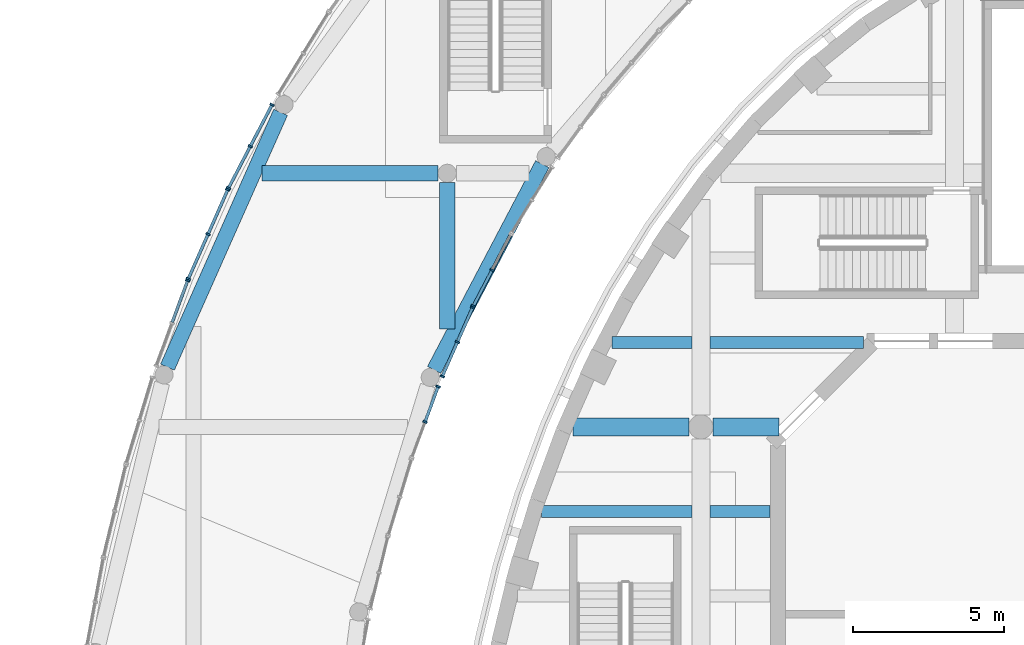
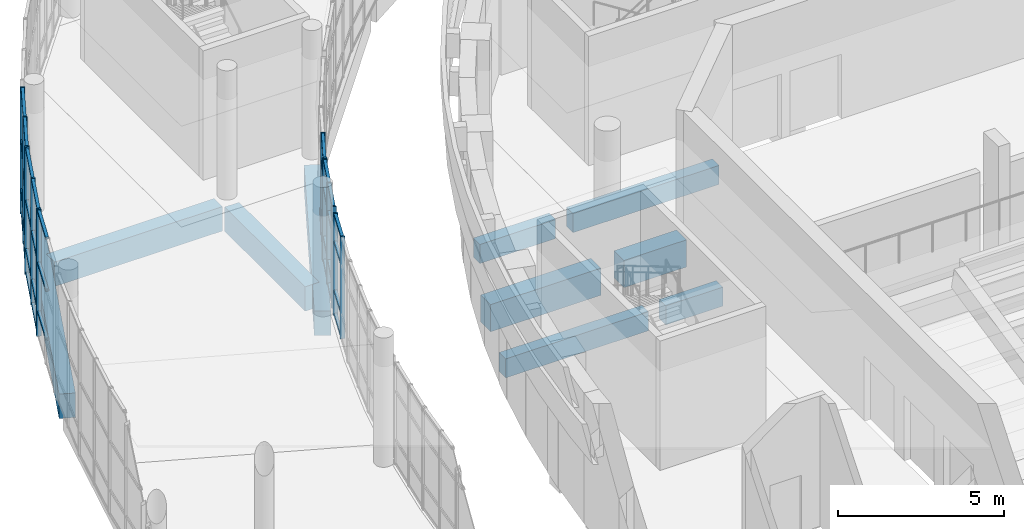
# One storey, part 23 of 119: 50 members, 10 beams, 6 elements without a shape of their own.
"""IFC4 building model written with IfcOpenShell, lengths in metres."""

from ifc_helpers import new_model, si_unit, direction, frame, origin, origin_2d, place, context, subcontext, project, spatial, rectangle, extrude, material, layer, layer_set, material_profile, profile_set, type_object, element, aggregate, save


model = new_model("IFC4")

# Units and contexts
model_context = context("Model", 3, precision=1e-05, world=origin(), true_north=direction((0.0, 1.0)))
body_context = subcontext(model_context, "Body", "Model", "MODEL_VIEW")
ifc_project = project(units=[si_unit("LENGTHUNIT", "METRE"), si_unit("AREAUNIT", "SQUARE_METRE"), si_unit("VOLUMEUNIT", "CUBIC_METRE"), si_unit("PLANEANGLEUNIT", "RADIAN"), si_unit("MASSUNIT", "GRAM", prefix="KILO")], contexts=[model_context])

# Site, building, storey
site_placement = place(None, origin())
site = spatial("IfcSite", under=ifc_project, at=site_placement, CompositionType="ELEMENT")
building_placement = place(site_placement, origin())
building = spatial("IfcBuilding", under=site, at=building_placement, Name="Larchfold Concert Hall", CompositionType="ELEMENT")
storey_placement = place(building_placement, frame((0.0, 0.0, 4.800048828125)))
storey = spatial("IfcBuildingStorey", under=building, at=storey_placement, Name="L01", CompositionType="ELEMENT", Elevation=4.800048828125)

# Curtain wall, members
ifc_material_1 = material(Name="Anodised graphite aluminium curtain wall", Category="aluminium")
ifc_layer = layer(ifc_material_1, 0.14990234375)
ifc_layer_set = layer_set([ifc_layer], Name="Anodised graphite aluminium curtain wall")
curtain_wall_type = type_object("IfcCurtainWallType", Name="Curtain wall WG", PredefinedType="NOTDEFINED", material=ifc_layer_set)
curtain_wall_1_placement = place(storey_placement, origin())
curtain_wall_1 = element("IfcCurtainWall", 1, at=curtain_wall_1_placement, inside=storey, type_object=curtain_wall_type, Name="Curtain wall CW0153", PredefinedType="NOTDEFINED")
ifc_material_2 = material(Name="Anodised graphite aluminium mullion", Category="aluminium")
ifc_material_profile_1 = material_profile(ifc_material_2, rectangle(XDim=0.14990234375, YDim=0.06005859375, at=origin_2d()))
ifc_profile_set_1 = profile_set([ifc_material_profile_1], Name="Anodised graphite aluminium mullion")
member_type_1 = type_object("IfcMemberType", Name="Aluminium mullion 60x150", PredefinedType="MULLION", material=ifc_profile_set_1)
member_1_placement = place(storey_placement, frame((16.66357421875, 101.563232421875, 0.0), z_axis=(0.0, 0.0, 1.0), x_axis=(-0.938008664151, 0.346611808768, 0.0)))
member_1 = element("IfcMember", 2, at=member_1_placement, type_object=member_type_1, Name="CW0153 mullion 2", PredefinedType="MULLION", context=body_context, shape_type="SweptSolid", body=[
    extrude(rectangle(XDim=0.14990234375, YDim=0.06005859375, at=origin_2d()), origin(), (0.0, 0.0, 1.0), 3.75),
])
member_2_placement = place(storey_placement, frame((17.096435546875, 102.73486328125, 0.0), z_axis=(0.0, 0.0, 1.0), x_axis=(-0.938008664151, 0.346611808768, 0.0)))
member_2 = element("IfcMember", 3, at=member_2_placement, type_object=member_type_1, Name="CW0153 mullion 3", PredefinedType="MULLION", context=body_context, shape_type="SweptSolid", body=[
    extrude(rectangle(XDim=0.14990234375, YDim=0.06005859375, at=origin_2d()), origin(), (0.0, 0.0, 1.0), 3.75),
])

curtain_wall_2_placement = place(storey_placement, origin())
curtain_wall_2 = element("IfcCurtainWall", 4, at=curtain_wall_2_placement, inside=storey, type_object=curtain_wall_type, Name="Curtain wall CW0154", PredefinedType="NOTDEFINED")
member_3_placement = place(storey_placement, frame((17.234130859375, 103.072265625, 0.0), z_axis=(0.0, 0.0, 1.0), x_axis=(-0.914744172632, 0.404033536523, 0.0)))
member_3 = element("IfcMember", 5, at=member_3_placement, type_object=member_type_1, Name="CW0154 mullion 1", PredefinedType="MULLION", context=body_context, shape_type="SweptSolid", body=[
    extrude(rectangle(XDim=0.14990234375, YDim=0.06005859375, at=origin_2d()), origin(), (0.0, 0.0, 1.0), 3.75),
])
member_4_placement = place(storey_placement, frame((17.737548828125, 104.212158203125, 0.0), z_axis=(0.0, 0.0, 1.0), x_axis=(-0.914744172632, 0.404033536523, 0.0)))
member_4 = element("IfcMember", 6, at=member_4_placement, type_object=member_type_1, Name="CW0154 mullion 2", PredefinedType="MULLION", context=body_context, shape_type="SweptSolid", body=[
    extrude(rectangle(XDim=0.14990234375, YDim=0.06005859375, at=origin_2d()), origin(), (0.0, 0.0, 1.0), 3.75),
])
member_5_placement = place(storey_placement, frame((18.24072265625, 105.351806640625, 0.0), z_axis=(0.0, 0.0, 1.0), x_axis=(-0.914744172632, 0.404033536523, 0.0)))
member_5 = element("IfcMember", 7, at=member_5_placement, type_object=member_type_1, Name="CW0154 mullion 3", PredefinedType="MULLION", context=body_context, shape_type="SweptSolid", body=[
    extrude(rectangle(XDim=0.14990234375, YDim=0.06005859375, at=origin_2d()), origin(), (0.0, 0.0, 1.0), 3.75),
])

curtain_wall_3_placement = place(storey_placement, origin())
curtain_wall_3 = element("IfcCurtainWall", 8, at=curtain_wall_3_placement, inside=storey, type_object=curtain_wall_type, Name="Curtain wall CW0155", PredefinedType="NOTDEFINED")
member_6_placement = place(storey_placement, frame((18.266845703125, 105.40576171875, 0.0), z_axis=(0.0, 0.0, 1.0), x_axis=(-0.886259622766, 0.46318881793, 0.0)))
member_6 = element("IfcMember", 9, at=member_6_placement, type_object=member_type_1, Name="CW0155 mullion 1", PredefinedType="MULLION", context=body_context, shape_type="SweptSolid", body=[
    extrude(rectangle(XDim=0.14990234375, YDim=0.06005859375, at=origin_2d()), origin(), (0.0, 0.0, 1.0), 3.75),
])
member_7_placement = place(storey_placement, frame((18.8857421875, 106.58984375, 0.0), z_axis=(0.0, 0.0, 1.0), x_axis=(-0.886259622766, 0.46318881793, 0.0)))
member_7 = element("IfcMember", 10, at=member_7_placement, type_object=member_type_1, Name="CW0155 mullion 2", PredefinedType="MULLION", context=body_context, shape_type="SweptSolid", body=[
    extrude(rectangle(XDim=0.14990234375, YDim=0.06005859375, at=origin_2d()), origin(), (0.0, 0.0, 1.0), 3.75),
])

curtain_wall_4_placement = place(storey_placement, origin())
curtain_wall_4 = element("IfcCurtainWall", 11, at=curtain_wall_4_placement, inside=storey, type_object=curtain_wall_type, Name="Curtain wall CW0187", PredefinedType="NOTDEFINED")
member_8_placement = place(storey_placement, frame((11.5947265625, 112.070068359375, 0.0), z_axis=(0.0, 0.0, 1.0), x_axis=(0.886293671962, -0.463123662795, 0.0)))
member_8 = element("IfcMember", 12, at=member_8_placement, type_object=member_type_1, Name="CW0187 mullion 1", PredefinedType="MULLION", context=body_context, shape_type="SweptSolid", body=[
    extrude(rectangle(XDim=0.14990234375, YDim=0.06005859375, at=origin_2d()), origin(), (0.0, 0.0, 1.0), 4.64990234375),
])
member_9_placement = place(storey_placement, frame((10.874267578125, 110.69140625, 0.0), z_axis=(0.0, 0.0, 1.0), x_axis=(0.886293671962, -0.463123662795, 0.0)))
member_9 = element("IfcMember", 13, at=member_9_placement, type_object=member_type_1, Name="CW0187 mullion 2", PredefinedType="MULLION", context=body_context, shape_type="SweptSolid", body=[
    extrude(rectangle(XDim=0.14990234375, YDim=0.06005859375, at=origin_2d()), origin(), (0.0, 0.0, 1.0), 4.64990234375),
])
member_10_placement = place(storey_placement, frame((10.15380859375, 109.3125, 0.0), z_axis=(0.0, 0.0, 1.0), x_axis=(0.886293671962, -0.463123662795, 0.0)))
member_10 = element("IfcMember", 14, at=member_10_placement, type_object=member_type_1, Name="CW0187 mullion 3", PredefinedType="MULLION", context=body_context, shape_type="SweptSolid", body=[
    extrude(rectangle(XDim=0.14990234375, YDim=0.06005859375, at=origin_2d()), origin(), (0.0, 0.0, 1.0), 4.64990234375),
])

curtain_wall_5_placement = place(storey_placement, origin())
curtain_wall_5 = element("IfcCurtainWall", 15, at=curtain_wall_5_placement, inside=storey, type_object=curtain_wall_type, Name="Curtain wall CW0188", PredefinedType="NOTDEFINED")
member_11_placement = place(storey_placement, frame((10.127685546875, 109.258544921875, 0.0), z_axis=(0.0, 0.0, 1.0), x_axis=(0.914703196701, -0.404126294549, 0.0)))
member_11 = element("IfcMember", 16, at=member_11_placement, type_object=member_type_1, Name="CW0188 mullion 1", PredefinedType="MULLION", context=body_context, shape_type="SweptSolid", body=[
    extrude(rectangle(XDim=0.14990234375, YDim=0.06005859375, at=origin_2d()), origin(), (0.0, 0.0, 1.0), 4.64990234375),
])
member_12_placement = place(storey_placement, frame((9.475341796875, 107.78173828125, 0.0), z_axis=(0.0, 0.0, 1.0), x_axis=(0.914703196701, -0.404126294549, 0.0)))
member_12 = element("IfcMember", 17, at=member_12_placement, type_object=member_type_1, Name="CW0188 mullion 2", PredefinedType="MULLION", context=body_context, shape_type="SweptSolid", body=[
    extrude(rectangle(XDim=0.14990234375, YDim=0.06005859375, at=origin_2d()), origin(), (0.0, 0.0, 1.0), 4.64990234375),
])
member_13_placement = place(storey_placement, frame((8.822998046875, 106.304931640625, 0.0), z_axis=(0.0, 0.0, 1.0), x_axis=(0.914703196701, -0.404126294549, 0.0)))
member_13 = element("IfcMember", 18, at=member_13_placement, type_object=member_type_1, Name="CW0188 mullion 3", PredefinedType="MULLION", context=body_context, shape_type="SweptSolid", body=[
    extrude(rectangle(XDim=0.14990234375, YDim=0.06005859375, at=origin_2d()), origin(), (0.0, 0.0, 1.0), 4.64990234375),
])

# Curtain wall, member
curtain_wall_6_placement = place(storey_placement, origin())
curtain_wall_6 = element("IfcCurtainWall", 19, at=curtain_wall_6_placement, inside=storey, type_object=curtain_wall_type, Name="Curtain wall CW0189", PredefinedType="NOTDEFINED")
member_14_placement = place(storey_placement, frame((8.80029296875, 106.24951171875, 0.0), z_axis=(0.0, 0.0, 1.0), x_axis=(0.938015834921, -0.346592402451, 0.0)))
member_14 = element("IfcMember", 20, at=member_14_placement, type_object=member_type_1, Name="CW0189 mullion 1", PredefinedType="MULLION", context=body_context, shape_type="SweptSolid", body=[
    extrude(rectangle(XDim=0.14990234375, YDim=0.06005859375, at=origin_2d()), origin(), (0.0, 0.0, 1.0), 4.64990234375),
])

# Member
ifc_material_3 = material(Name="Anodised graphite aluminium transom", Category="aluminium")
ifc_material_profile_2 = material_profile(ifc_material_3, rectangle(XDim=0.10009765625, YDim=0.080078125, at=origin_2d()))
ifc_profile_set_2 = profile_set([ifc_material_profile_2], Name="Anodised graphite aluminium transom")
member_type_2 = type_object("IfcMemberType", Name="Aluminium transom 80x100", PredefinedType="USERDEFINED", material=ifc_profile_set_2)
member_15_placement = place(storey_placement, frame((16.674072265625, 101.59130859375, 0.0400390625), z_axis=(0.346618720234, 0.938006110206, 0.0), x_axis=(-0.938006110206, 0.346618720234, 0.0)))
member_15 = element("IfcMember", 21, at=member_15_placement, type_object=member_type_2, Name="CW0153 transom 2.1", ObjectType="TRANSOM", PredefinedType="USERDEFINED", context=body_context, shape_type="SweptSolid", body=[
    extrude(rectangle(XDim=0.10009765625, YDim=0.080078125, at=origin_2d()), origin(), (0.0, 0.0, 1.0), 1.18896484375),
])

member_16_placement = place(storey_placement, frame((16.674072265625, 101.59130859375, 0.89990234375), z_axis=(0.346618720234, 0.938006110206, 0.0), x_axis=(-0.938006110206, 0.346618720234, 0.0)))
member_16 = element("IfcMember", 22, at=member_16_placement, type_object=member_type_2, Name="CW0153 transom 2.2", ObjectType="TRANSOM", PredefinedType="USERDEFINED", context=body_context, shape_type="SweptSolid", body=[
    extrude(rectangle(XDim=0.10009765625, YDim=0.080078125, at=origin_2d()), origin(), (0.0, 0.0, 1.0), 1.18896484375),
])

member_17_placement = place(storey_placement, frame((16.674072265625, 101.59130859375, 2.699951171875), z_axis=(0.346618720234, 0.938006110206, 0.0), x_axis=(-0.938006110206, 0.346618720234, 0.0)))
member_17 = element("IfcMember", 23, at=member_17_placement, type_object=member_type_2, Name="CW0153 transom 2.3", ObjectType="TRANSOM", PredefinedType="USERDEFINED", context=body_context, shape_type="SweptSolid", body=[
    extrude(rectangle(XDim=0.10009765625, YDim=0.080078125, at=origin_2d()), origin(), (0.0, 0.0, 1.0), 1.18896484375),
])

member_18_placement = place(storey_placement, frame((16.674072265625, 101.59130859375, 3.7099609375), z_axis=(0.346618720234, 0.938006110206, 0.0), x_axis=(-0.938006110206, 0.346618720234, 0.0)))
member_18 = element("IfcMember", 24, at=member_18_placement, type_object=member_type_2, Name="CW0153 transom 2.4", ObjectType="TRANSOM", PredefinedType="USERDEFINED", context=body_context, shape_type="SweptSolid", body=[
    extrude(rectangle(XDim=0.10009765625, YDim=0.080078125, at=origin_2d()), origin(), (0.0, 0.0, 1.0), 1.18896484375),
])

aggregate(curtain_wall_1, [member_1, member_2, member_15, member_16, member_17, member_18])

member_19_placement = place(storey_placement, frame((17.24609375, 103.099853515625, 0.0400390625), z_axis=(0.404131802437, 0.914700763233, 0.0), x_axis=(-0.914700763233, 0.404131802437, 0.0)))
member_19 = element("IfcMember", 25, at=member_19_placement, type_object=member_type_2, Name="CW0154 transom 1.1", ObjectType="TRANSOM", PredefinedType="USERDEFINED", context=body_context, shape_type="SweptSolid", body=[
    extrude(rectangle(XDim=0.10009765625, YDim=0.080078125, at=origin_2d()), origin(), (0.0, 0.0, 1.0), 1.185791015625),
])

member_20_placement = place(storey_placement, frame((17.24609375, 103.099853515625, 0.89990234375), z_axis=(0.404131802437, 0.914700763233, 0.0), x_axis=(-0.914700763233, 0.404131802437, 0.0)))
member_20 = element("IfcMember", 26, at=member_20_placement, type_object=member_type_2, Name="CW0154 transom 1.2", ObjectType="TRANSOM", PredefinedType="USERDEFINED", context=body_context, shape_type="SweptSolid", body=[
    extrude(rectangle(XDim=0.10009765625, YDim=0.080078125, at=origin_2d()), origin(), (0.0, 0.0, 1.0), 1.185791015625),
])

member_21_placement = place(storey_placement, frame((17.24609375, 103.099853515625, 2.699951171875), z_axis=(0.404131802437, 0.914700763233, 0.0), x_axis=(-0.914700763233, 0.404131802437, 0.0)))
member_21 = element("IfcMember", 27, at=member_21_placement, type_object=member_type_2, Name="CW0154 transom 1.3", ObjectType="TRANSOM", PredefinedType="USERDEFINED", context=body_context, shape_type="SweptSolid", body=[
    extrude(rectangle(XDim=0.10009765625, YDim=0.080078125, at=origin_2d()), origin(), (0.0, 0.0, 1.0), 1.185791015625),
])

member_22_placement = place(storey_placement, frame((17.24609375, 103.099853515625, 3.7099609375), z_axis=(0.404131802437, 0.914700763233, 0.0), x_axis=(-0.914700763233, 0.404131802437, 0.0)))
member_22 = element("IfcMember", 28, at=member_22_placement, type_object=member_type_2, Name="CW0154 transom 1.4", ObjectType="TRANSOM", PredefinedType="USERDEFINED", context=body_context, shape_type="SweptSolid", body=[
    extrude(rectangle(XDim=0.10009765625, YDim=0.080078125, at=origin_2d()), origin(), (0.0, 0.0, 1.0), 1.185791015625),
])

member_23_placement = place(storey_placement, frame((17.74951171875, 104.239501953125, 0.0400390625), z_axis=(0.404131802437, 0.914700763233, 0.0), x_axis=(-0.914700763233, 0.404131802437, 0.0)))
member_23 = element("IfcMember", 29, at=member_23_placement, type_object=member_type_2, Name="CW0154 transom 2.1", ObjectType="TRANSOM", PredefinedType="USERDEFINED", context=body_context, shape_type="SweptSolid", body=[
    extrude(rectangle(XDim=0.10009765625, YDim=0.080078125, at=origin_2d()), origin(), (0.0, 0.0, 1.0), 1.185791015625),
])

member_24_placement = place(storey_placement, frame((17.74951171875, 104.239501953125, 0.89990234375), z_axis=(0.404131802437, 0.914700763233, 0.0), x_axis=(-0.914700763233, 0.404131802437, 0.0)))
member_24 = element("IfcMember", 30, at=member_24_placement, type_object=member_type_2, Name="CW0154 transom 2.2", ObjectType="TRANSOM", PredefinedType="USERDEFINED", context=body_context, shape_type="SweptSolid", body=[
    extrude(rectangle(XDim=0.10009765625, YDim=0.080078125, at=origin_2d()), origin(), (0.0, 0.0, 1.0), 1.185791015625),
])

member_25_placement = place(storey_placement, frame((17.74951171875, 104.239501953125, 2.699951171875), z_axis=(0.404131802437, 0.914700763233, 0.0), x_axis=(-0.914700763233, 0.404131802437, 0.0)))
member_25 = element("IfcMember", 31, at=member_25_placement, type_object=member_type_2, Name="CW0154 transom 2.3", ObjectType="TRANSOM", PredefinedType="USERDEFINED", context=body_context, shape_type="SweptSolid", body=[
    extrude(rectangle(XDim=0.10009765625, YDim=0.080078125, at=origin_2d()), origin(), (0.0, 0.0, 1.0), 1.185791015625),
])

member_26_placement = place(storey_placement, frame((17.74951171875, 104.239501953125, 3.7099609375), z_axis=(0.404131802437, 0.914700763233, 0.0), x_axis=(-0.914700763233, 0.404131802437, 0.0)))
member_26 = element("IfcMember", 32, at=member_26_placement, type_object=member_type_2, Name="CW0154 transom 2.4", ObjectType="TRANSOM", PredefinedType="USERDEFINED", context=body_context, shape_type="SweptSolid", body=[
    extrude(rectangle(XDim=0.10009765625, YDim=0.080078125, at=origin_2d()), origin(), (0.0, 0.0, 1.0), 1.185791015625),
])

aggregate(curtain_wall_2, [member_3, member_4, member_5, member_19, member_20, member_21, member_22, member_23, member_24, member_25, member_26])

member_27_placement = place(storey_placement, frame((18.28076171875, 105.432373046875, 0.0400390625), z_axis=(0.463134691808, 0.886287908777, 0.0), x_axis=(-0.886287908777, 0.463134691808, 0.0)))
member_27 = element("IfcMember", 33, at=member_27_placement, type_object=member_type_2, Name="CW0155 transom 1.1", ObjectType="TRANSOM", PredefinedType="USERDEFINED", context=body_context, shape_type="SweptSolid", body=[
    extrude(rectangle(XDim=0.10009765625, YDim=0.080078125, at=origin_2d()), origin(), (0.0, 0.0, 1.0), 1.276123046875),
])

member_28_placement = place(storey_placement, frame((18.28076171875, 105.432373046875, 0.89990234375), z_axis=(0.463134691808, 0.886287908777, 0.0), x_axis=(-0.886287908777, 0.463134691808, 0.0)))
member_28 = element("IfcMember", 34, at=member_28_placement, type_object=member_type_2, Name="CW0155 transom 1.2", ObjectType="TRANSOM", PredefinedType="USERDEFINED", context=body_context, shape_type="SweptSolid", body=[
    extrude(rectangle(XDim=0.10009765625, YDim=0.080078125, at=origin_2d()), origin(), (0.0, 0.0, 1.0), 1.276123046875),
])

member_29_placement = place(storey_placement, frame((18.28076171875, 105.432373046875, 2.699951171875), z_axis=(0.463134691808, 0.886287908777, 0.0), x_axis=(-0.886287908777, 0.463134691808, 0.0)))
member_29 = element("IfcMember", 35, at=member_29_placement, type_object=member_type_2, Name="CW0155 transom 1.3", ObjectType="TRANSOM", PredefinedType="USERDEFINED", context=body_context, shape_type="SweptSolid", body=[
    extrude(rectangle(XDim=0.10009765625, YDim=0.080078125, at=origin_2d()), origin(), (0.0, 0.0, 1.0), 1.276123046875),
])

member_30_placement = place(storey_placement, frame((18.28076171875, 105.432373046875, 3.7099609375), z_axis=(0.463134691808, 0.886287908777, 0.0), x_axis=(-0.886287908777, 0.463134691808, 0.0)))
member_30 = element("IfcMember", 36, at=member_30_placement, type_object=member_type_2, Name="CW0155 transom 1.4", ObjectType="TRANSOM", PredefinedType="USERDEFINED", context=body_context, shape_type="SweptSolid", body=[
    extrude(rectangle(XDim=0.10009765625, YDim=0.080078125, at=origin_2d()), origin(), (0.0, 0.0, 1.0), 1.276123046875),
])

member_31_placement = place(storey_placement, frame((18.899658203125, 106.616455078125, 0.0400390625), z_axis=(0.463134691808, 0.886287908777, 0.0), x_axis=(-0.886287908777, 0.463134691808, 0.0)))
member_31 = element("IfcMember", 37, at=member_31_placement, type_object=member_type_2, Name="CW0155 transom 2.1", ObjectType="TRANSOM", PredefinedType="USERDEFINED", context=body_context, shape_type="SweptSolid", body=[
    extrude(rectangle(XDim=0.10009765625, YDim=0.080078125, at=origin_2d()), origin(), (0.0, 0.0, 1.0), 1.276123046875),
])

aggregate(curtain_wall_3, [member_6, member_7, member_27, member_28, member_29, member_30, member_31])

member_32_placement = place(storey_placement, frame((11.580810546875, 112.04345703125, 0.0400390625), z_axis=(-0.463073557988, -0.886319851912, 0.0), x_axis=(0.886319851912, -0.463073557988, 0.0)))
member_32 = element("IfcMember", 38, at=member_32_placement, type_object=member_type_2, Name="CW0187 transom 1.1", ObjectType="TRANSOM", PredefinedType="USERDEFINED", context=body_context, shape_type="SweptSolid", body=[
    extrude(rectangle(XDim=0.10009765625, YDim=0.080078125, at=origin_2d()), origin(), (0.0, 0.0, 1.0), 1.49560546875),
])

member_33_placement = place(storey_placement, frame((11.580810546875, 112.04345703125, 0.89990234375), z_axis=(-0.463073557988, -0.886319851912, 0.0), x_axis=(0.886319851912, -0.463073557988, 0.0)))
member_33 = element("IfcMember", 39, at=member_33_placement, type_object=member_type_2, Name="CW0187 transom 1.2", ObjectType="TRANSOM", PredefinedType="USERDEFINED", context=body_context, shape_type="SweptSolid", body=[
    extrude(rectangle(XDim=0.10009765625, YDim=0.080078125, at=origin_2d()), origin(), (0.0, 0.0, 1.0), 1.49560546875),
])

member_34_placement = place(storey_placement, frame((11.580810546875, 112.04345703125, 2.699951171875), z_axis=(-0.463073557988, -0.886319851912, 0.0), x_axis=(0.886319851912, -0.463073557988, 0.0)))
member_34 = element("IfcMember", 40, at=member_34_placement, type_object=member_type_2, Name="CW0187 transom 1.3", ObjectType="TRANSOM", PredefinedType="USERDEFINED", context=body_context, shape_type="SweptSolid", body=[
    extrude(rectangle(XDim=0.10009765625, YDim=0.080078125, at=origin_2d()), origin(), (0.0, 0.0, 1.0), 1.49560546875),
])

member_35_placement = place(storey_placement, frame((11.580810546875, 112.04345703125, 4.60986328125), z_axis=(-0.463073557988, -0.886319851912, 0.0), x_axis=(0.886319851912, -0.463073557988, 0.0)))
member_35 = element("IfcMember", 41, at=member_35_placement, type_object=member_type_2, Name="CW0187 transom 1.4", ObjectType="TRANSOM", PredefinedType="USERDEFINED", context=body_context, shape_type="SweptSolid", body=[
    extrude(rectangle(XDim=0.10009765625, YDim=0.080078125, at=origin_2d()), origin(), (0.0, 0.0, 1.0), 1.49560546875),
])

member_36_placement = place(storey_placement, frame((10.8603515625, 110.664794921875, 0.0400390625), z_axis=(-0.463073557988, -0.886319851912, 0.0), x_axis=(0.886319851912, -0.463073557988, 0.0)))
member_36 = element("IfcMember", 42, at=member_36_placement, type_object=member_type_2, Name="CW0187 transom 2.1", ObjectType="TRANSOM", PredefinedType="USERDEFINED", context=body_context, shape_type="SweptSolid", body=[
    extrude(rectangle(XDim=0.10009765625, YDim=0.080078125, at=origin_2d()), origin(), (0.0, 0.0, 1.0), 1.49560546875),
])

member_37_placement = place(storey_placement, frame((10.8603515625, 110.664794921875, 0.89990234375), z_axis=(-0.463073557988, -0.886319851912, 0.0), x_axis=(0.886319851912, -0.463073557988, 0.0)))
member_37 = element("IfcMember", 43, at=member_37_placement, type_object=member_type_2, Name="CW0187 transom 2.2", ObjectType="TRANSOM", PredefinedType="USERDEFINED", context=body_context, shape_type="SweptSolid", body=[
    extrude(rectangle(XDim=0.10009765625, YDim=0.080078125, at=origin_2d()), origin(), (0.0, 0.0, 1.0), 1.49560546875),
])

member_38_placement = place(storey_placement, frame((10.8603515625, 110.664794921875, 2.699951171875), z_axis=(-0.463073557988, -0.886319851912, 0.0), x_axis=(0.886319851912, -0.463073557988, 0.0)))
member_38 = element("IfcMember", 44, at=member_38_placement, type_object=member_type_2, Name="CW0187 transom 2.3", ObjectType="TRANSOM", PredefinedType="USERDEFINED", context=body_context, shape_type="SweptSolid", body=[
    extrude(rectangle(XDim=0.10009765625, YDim=0.080078125, at=origin_2d()), origin(), (0.0, 0.0, 1.0), 1.49560546875),
])

member_39_placement = place(storey_placement, frame((10.8603515625, 110.664794921875, 4.60986328125), z_axis=(-0.463073557988, -0.886319851912, 0.0), x_axis=(0.886319851912, -0.463073557988, 0.0)))
member_39 = element("IfcMember", 45, at=member_39_placement, type_object=member_type_2, Name="CW0187 transom 2.4", ObjectType="TRANSOM", PredefinedType="USERDEFINED", context=body_context, shape_type="SweptSolid", body=[
    extrude(rectangle(XDim=0.10009765625, YDim=0.080078125, at=origin_2d()), origin(), (0.0, 0.0, 1.0), 1.49560546875),
])

aggregate(curtain_wall_4, [member_8, member_9, member_10, member_32, member_33, member_34, member_35, member_36, member_37, member_38, member_39])

member_40_placement = place(storey_placement, frame((10.11572265625, 109.23095703125, 0.0400390625), z_axis=(-0.404111897501, -0.914709557345, 0.0), x_axis=(0.914709557345, -0.404111897501, 0.0)))
member_40 = element("IfcMember", 46, at=member_40_placement, type_object=member_type_2, Name="CW0188 transom 1.1", ObjectType="TRANSOM", PredefinedType="USERDEFINED", context=body_context, shape_type="SweptSolid", body=[
    extrude(rectangle(XDim=0.10009765625, YDim=0.080078125, at=origin_2d()), origin(), (0.0, 0.0, 1.0), 1.554443359375),
])

member_41_placement = place(storey_placement, frame((10.11572265625, 109.23095703125, 0.89990234375), z_axis=(-0.404111897501, -0.914709557345, 0.0), x_axis=(0.914709557345, -0.404111897501, 0.0)))
member_41 = element("IfcMember", 47, at=member_41_placement, type_object=member_type_2, Name="CW0188 transom 1.2", ObjectType="TRANSOM", PredefinedType="USERDEFINED", context=body_context, shape_type="SweptSolid", body=[
    extrude(rectangle(XDim=0.10009765625, YDim=0.080078125, at=origin_2d()), origin(), (0.0, 0.0, 1.0), 1.554443359375),
])

member_42_placement = place(storey_placement, frame((10.11572265625, 109.23095703125, 2.699951171875), z_axis=(-0.404111897501, -0.914709557345, 0.0), x_axis=(0.914709557345, -0.404111897501, 0.0)))
member_42 = element("IfcMember", 48, at=member_42_placement, type_object=member_type_2, Name="CW0188 transom 1.3", ObjectType="TRANSOM", PredefinedType="USERDEFINED", context=body_context, shape_type="SweptSolid", body=[
    extrude(rectangle(XDim=0.10009765625, YDim=0.080078125, at=origin_2d()), origin(), (0.0, 0.0, 1.0), 1.554443359375),
])

member_43_placement = place(storey_placement, frame((10.11572265625, 109.23095703125, 4.60986328125), z_axis=(-0.404111897501, -0.914709557345, 0.0), x_axis=(0.914709557345, -0.404111897501, 0.0)))
member_43 = element("IfcMember", 49, at=member_43_placement, type_object=member_type_2, Name="CW0188 transom 1.4", ObjectType="TRANSOM", PredefinedType="USERDEFINED", context=body_context, shape_type="SweptSolid", body=[
    extrude(rectangle(XDim=0.10009765625, YDim=0.080078125, at=origin_2d()), origin(), (0.0, 0.0, 1.0), 1.554443359375),
])

member_44_placement = place(storey_placement, frame((9.463134765625, 107.75439453125, 0.0400390625), z_axis=(-0.404111897501, -0.914709557345, 0.0), x_axis=(0.914709557345, -0.404111897501, 0.0)))
member_44 = element("IfcMember", 50, at=member_44_placement, type_object=member_type_2, Name="CW0188 transom 2.1", ObjectType="TRANSOM", PredefinedType="USERDEFINED", context=body_context, shape_type="SweptSolid", body=[
    extrude(rectangle(XDim=0.10009765625, YDim=0.080078125, at=origin_2d()), origin(), (0.0, 0.0, 1.0), 1.554443359375),
])

member_45_placement = place(storey_placement, frame((9.463134765625, 107.75439453125, 0.89990234375), z_axis=(-0.404111897501, -0.914709557345, 0.0), x_axis=(0.914709557345, -0.404111897501, 0.0)))
member_45 = element("IfcMember", 51, at=member_45_placement, type_object=member_type_2, Name="CW0188 transom 2.2", ObjectType="TRANSOM", PredefinedType="USERDEFINED", context=body_context, shape_type="SweptSolid", body=[
    extrude(rectangle(XDim=0.10009765625, YDim=0.080078125, at=origin_2d()), origin(), (0.0, 0.0, 1.0), 1.554443359375),
])

member_46_placement = place(storey_placement, frame((9.463134765625, 107.75439453125, 2.699951171875), z_axis=(-0.404111897501, -0.914709557345, 0.0), x_axis=(0.914709557345, -0.404111897501, 0.0)))
member_46 = element("IfcMember", 52, at=member_46_placement, type_object=member_type_2, Name="CW0188 transom 2.3", ObjectType="TRANSOM", PredefinedType="USERDEFINED", context=body_context, shape_type="SweptSolid", body=[
    extrude(rectangle(XDim=0.10009765625, YDim=0.080078125, at=origin_2d()), origin(), (0.0, 0.0, 1.0), 1.554443359375),
])

member_47_placement = place(storey_placement, frame((9.463134765625, 107.75439453125, 4.60986328125), z_axis=(-0.404111897501, -0.914709557345, 0.0), x_axis=(0.914709557345, -0.404111897501, 0.0)))
member_47 = element("IfcMember", 53, at=member_47_placement, type_object=member_type_2, Name="CW0188 transom 2.4", ObjectType="TRANSOM", PredefinedType="USERDEFINED", context=body_context, shape_type="SweptSolid", body=[
    extrude(rectangle(XDim=0.10009765625, YDim=0.080078125, at=origin_2d()), origin(), (0.0, 0.0, 1.0), 1.554443359375),
])

aggregate(curtain_wall_5, [member_11, member_12, member_13, member_40, member_41, member_42, member_43, member_44, member_45, member_46, member_47])

member_48_placement = place(storey_placement, frame((8.7900390625, 106.22119140625, 0.89990234375), z_axis=(-0.346643684981, -0.937996884676, 0.0), x_axis=(0.937996884676, -0.346643684981, 0.0)))
member_48 = element("IfcMember", 54, at=member_48_placement, type_object=member_type_2, Name="CW0189 transom 1.2", ObjectType="TRANSOM", PredefinedType="USERDEFINED", context=body_context, shape_type="SweptSolid", body=[
    extrude(rectangle(XDim=0.10009765625, YDim=0.080078125, at=origin_2d()), origin(), (0.0, 0.0, 1.0), 1.446533203125),
])

member_49_placement = place(storey_placement, frame((8.7900390625, 106.22119140625, 2.699951171875), z_axis=(-0.346643684981, -0.937996884676, 0.0), x_axis=(0.937996884676, -0.346643684981, 0.0)))
member_49 = element("IfcMember", 55, at=member_49_placement, type_object=member_type_2, Name="CW0189 transom 1.3", ObjectType="TRANSOM", PredefinedType="USERDEFINED", context=body_context, shape_type="SweptSolid", body=[
    extrude(rectangle(XDim=0.10009765625, YDim=0.080078125, at=origin_2d()), origin(), (0.0, 0.0, 1.0), 1.446533203125),
])

member_50_placement = place(storey_placement, frame((8.7900390625, 106.22119140625, 4.60986328125), z_axis=(-0.346643684981, -0.937996884676, 0.0), x_axis=(0.937996884676, -0.346643684981, 0.0)))
member_50 = element("IfcMember", 56, at=member_50_placement, type_object=member_type_2, Name="CW0189 transom 1.4", ObjectType="TRANSOM", PredefinedType="USERDEFINED", context=body_context, shape_type="SweptSolid", body=[
    extrude(rectangle(XDim=0.10009765625, YDim=0.080078125, at=origin_2d()), origin(), (0.0, 0.0, 1.0), 1.446533203125),
])

aggregate(curtain_wall_6, [member_14, member_48, member_49, member_50])

# Beams
ifc_material_4 = material(Name="Concrete C35/45", Category="concrete")
ifc_material_profile_3 = material_profile(ifc_material_4, rectangle(XDim=0.39990234375, YDim=0.699951171875, at=origin_2d()))
ifc_profile_set_3 = profile_set([ifc_material_profile_3], Name="Concrete C35/45")
beam_type_1 = type_object("IfcBeamType", Name="Beam RC 400x700", PredefinedType="BEAM", material=ifc_profile_set_3)
beam_1_placement = place(storey_placement, frame((20.523681640625, 98.60009765625, -0.550048828125), z_axis=(1.0, 0.0, 0.0), x_axis=(0.0, 1.0, 0.0)))
element("IfcBeam", 57, at=beam_1_placement, inside=storey, type_object=beam_type_1, Name="Beam B1249", PredefinedType="BEAM", context=body_context, shape_type="SweptSolid", body=[
    extrude(rectangle(XDim=0.39990234375, YDim=0.699951171875, at=origin_2d()), origin(), (0.0, 0.0, 1.0), 4.976318359375),
])
beam_2_placement = place(storey_placement, frame((26.10009765625, 98.60009765625, -0.550048828125), z_axis=(1.0, 0.0, 0.0), x_axis=(0.0, 1.0, 0.0)))
element("IfcBeam", 58, at=beam_2_placement, inside=storey, type_object=beam_type_1, Name="Beam B1250", PredefinedType="BEAM", context=body_context, shape_type="SweptSolid", body=[
    extrude(rectangle(XDim=0.39990234375, YDim=0.699951171875, at=origin_2d()), origin(), (0.0, 0.0, 1.0), 1.989990234375),
])
beam_3_placement = place(storey_placement, frame((22.86083984375, 104.199951171875, -0.550048828125), z_axis=(1.0, 0.0, 0.0), x_axis=(0.0, 1.0, 0.0)))
element("IfcBeam", 59, at=beam_3_placement, inside=storey, type_object=beam_type_1, Name="Beam B1253", PredefinedType="BEAM", context=body_context, shape_type="SweptSolid", body=[
    extrude(rectangle(XDim=0.39990234375, YDim=0.699951171875, at=origin_2d()), origin(), (0.0, 0.0, 1.0), 2.63916015625),
])
beam_4_placement = place(storey_placement, frame((26.10009765625, 104.199951171875, -0.550048828125), z_axis=(1.0, 0.0, 0.0), x_axis=(0.0, 1.0, 0.0)))
element("IfcBeam", 60, at=beam_4_placement, inside=storey, type_object=beam_type_1, Name="Beam B1254", PredefinedType="BEAM", context=body_context, shape_type="SweptSolid", body=[
    extrude(rectangle(XDim=0.39990234375, YDim=0.699951171875, at=origin_2d()), origin(), (0.0, 0.0, 1.0), 5.085693359375),
])
ifc_material_5 = material(Name="Concrete C35/45", Category="concrete")
ifc_material_profile_4 = material_profile(ifc_material_5, rectangle(XDim=0.5, YDim=0.89990234375, at=origin_2d()))
ifc_profile_set_4 = profile_set([ifc_material_profile_4], Name="Concrete C35/45")
beam_type_2 = type_object("IfcBeamType", Name="Beam RC 500x900", PredefinedType="BEAM", material=ifc_profile_set_4)
beam_5_placement = place(storey_placement, frame((8.131591796875, 103.376953125, -0.60009765625), z_axis=(0.405714193235, 0.913999996394, 0.0), x_axis=(-0.913999996394, 0.405714193235, 0.0)))
element("IfcBeam", 61, at=beam_5_placement, inside=storey, type_object=beam_type_2, Name="Beam B1874", PredefinedType="BEAM", context=body_context, shape_type="SweptSolid", body=[
    extrude(rectangle(XDim=0.5, YDim=0.89990234375, at=origin_2d()), origin(), (0.0, 0.0, 1.0), 9.237548828125),
])
beam_6_placement = place(storey_placement, frame((20.5478515625, 110.10302734375, -0.60009765625), z_axis=(-0.46509297628, -0.885261838901, 0.0), x_axis=(0.885261838901, -0.46509297628, 0.0)))
element("IfcBeam", 62, at=beam_6_placement, inside=storey, type_object=beam_type_2, Name="Beam B1885", PredefinedType="BEAM", context=body_context, shape_type="SweptSolid", body=[
    extrude(rectangle(XDim=0.5, YDim=0.89990234375, at=origin_2d()), origin(), (0.0, 0.0, 1.0), 7.70068359375),
])
beam_7_placement = place(storey_placement, frame((17.39990234375, 104.649169921875, -0.60009765625), z_axis=(0.0, 1.0, 0.0), x_axis=(-1.0, 0.0, 0.0)))
element("IfcBeam", 63, at=beam_7_placement, inside=storey, type_object=beam_type_2, Name="Beam B1899", PredefinedType="BEAM", context=body_context, shape_type="SweptSolid", body=[
    extrude(rectangle(XDim=0.5, YDim=0.89990234375, at=origin_2d()), origin(), (0.0, 0.0, 1.0), 4.85205078125),
])
beam_8_placement = place(storey_placement, frame((11.25634765625, 109.800048828125, -0.60009765625), z_axis=(1.0, 0.0, 0.0), x_axis=(0.0, 1.0, 0.0)))
element("IfcBeam", 64, at=beam_8_placement, inside=storey, type_object=beam_type_2, Name="Beam B1927", PredefinedType="BEAM", context=body_context, shape_type="SweptSolid", body=[
    extrude(rectangle(XDim=0.5, YDim=0.89990234375, at=origin_2d()), origin(), (0.0, 0.0, 1.0), 5.844970703125),
])
ifc_material_6 = material(Name="Concrete C35/45", Category="concrete")
ifc_material_profile_5 = material_profile(ifc_material_6, rectangle(XDim=0.60009765625, YDim=1.0, at=origin_2d()))
ifc_profile_set_5 = profile_set([ifc_material_profile_5], Name="Concrete C35/45")
beam_type_3 = type_object("IfcBeamType", Name="Beam RC 600x1000", PredefinedType="BEAM", material=ifc_profile_set_5)
beam_9_placement = place(storey_placement, frame((21.556884765625, 101.39990234375, -0.699951171875), z_axis=(1.0, 0.0, 0.0), x_axis=(0.0, 1.0, 0.0)))
element("IfcBeam", 65, at=beam_9_placement, inside=storey, type_object=beam_type_3, Name="Beam B1211", PredefinedType="BEAM", context=body_context, shape_type="SweptSolid", body=[
    extrude(rectangle(XDim=0.60009765625, YDim=1.0, at=origin_2d()), origin(), (0.0, 0.0, 1.0), 3.8447265625),
])
beam_10_placement = place(storey_placement, frame((26.1982421875, 101.39990234375, -0.699951171875), z_axis=(1.0, 0.0, 0.0), x_axis=(0.0, 1.0, 0.0)))
element("IfcBeam", 66, at=beam_10_placement, inside=storey, type_object=beam_type_3, Name="Beam B1212", PredefinedType="BEAM", context=body_context, shape_type="SweptSolid", body=[
    extrude(rectangle(XDim=0.60009765625, YDim=1.0, at=origin_2d()), origin(), (0.0, 0.0, 1.0), 2.1875),
])

save(model, "model.ifc")
